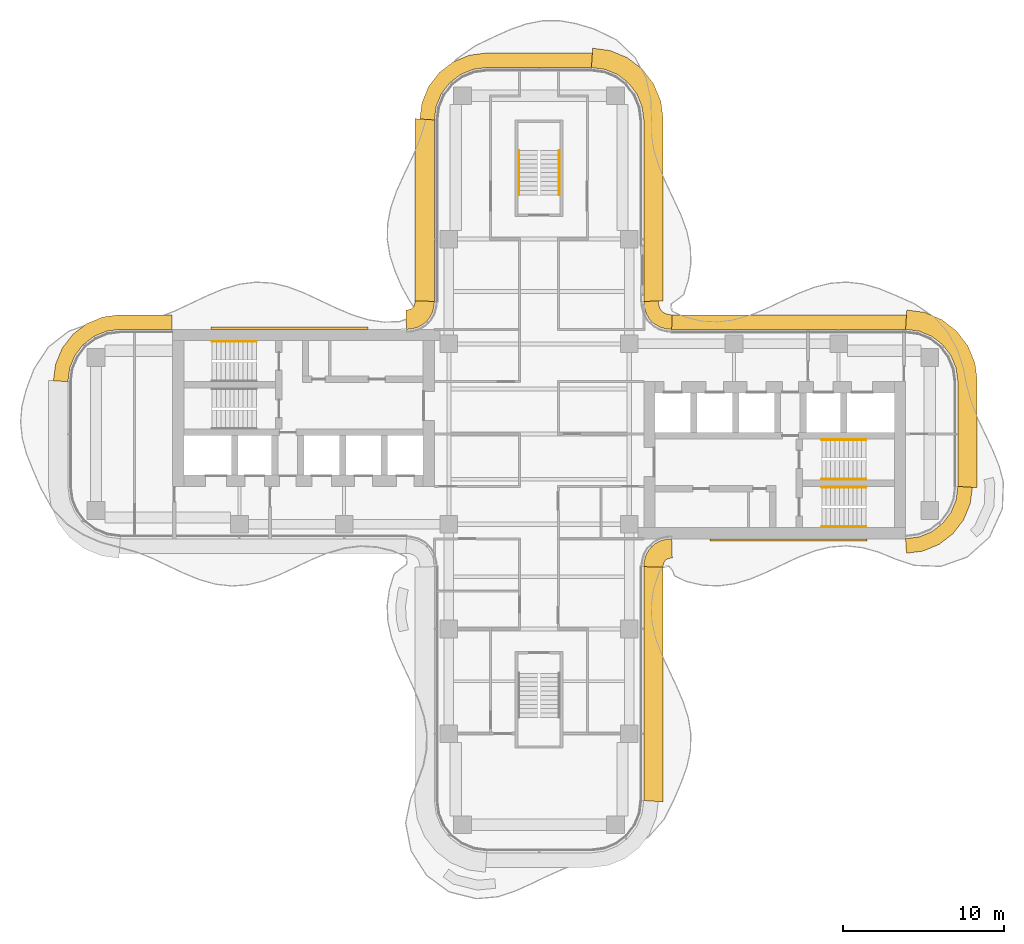
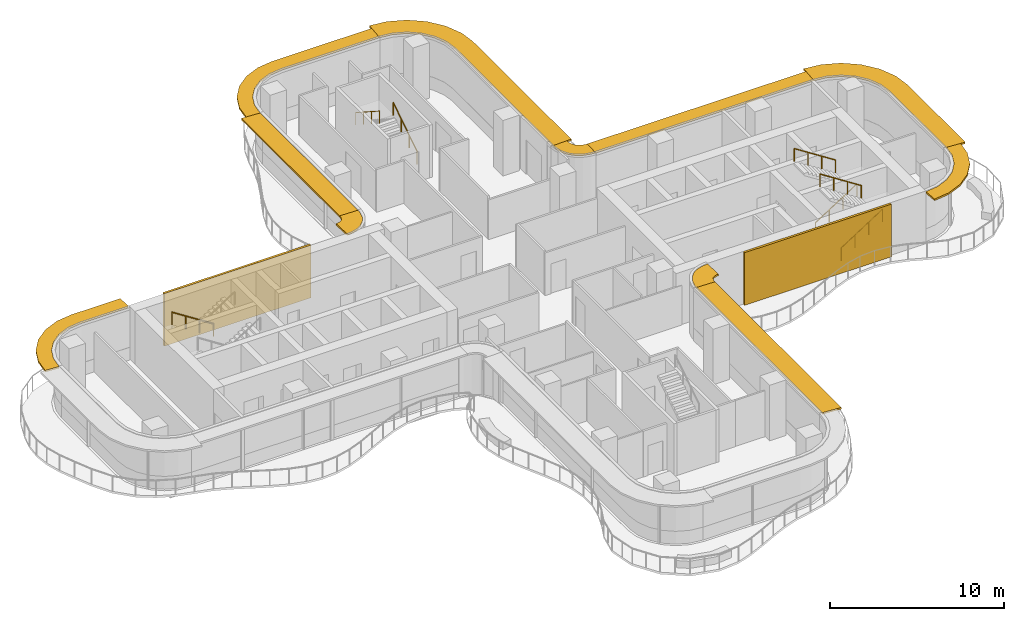
# One storey, part 19 of 19: 11 shading devices, 7 railings, 2 coverings.
"""IFC4 building model written with IfcOpenShell, lengths in metres."""

from ifc_helpers import new_model, si_unit, direction, frame, origin, origin_2d, place, context, subcontext, project, spatial, polyline, circle, outline, extrude, source, transform, mapped, material, layer, layer_set, type_object, element, save


model = new_model("IFC4")

# Units and contexts
model_context = context("Model", 3, precision=1e-05, world=origin(), true_north=direction((0.0, 1.0)))
body_context = subcontext(model_context, "Body", "Model", "MODEL_VIEW")
ifc_project = project(units=[si_unit("LENGTHUNIT", "METRE"), si_unit("AREAUNIT", "SQUARE_METRE"), si_unit("VOLUMEUNIT", "CUBIC_METRE"), si_unit("PLANEANGLEUNIT", "RADIAN"), si_unit("MASSUNIT", "GRAM", prefix="KILO")], contexts=[model_context])

# Site, building, storey
site_placement = place(None, origin())
site = spatial("IfcSite", under=ifc_project, at=site_placement, CompositionType="ELEMENT")
building_placement = place(site_placement, origin())
building = spatial("IfcBuilding", under=site, at=building_placement, Name="Trellis Farm Tower", CompositionType="ELEMENT")
storey_placement = place(building_placement, frame((0.0, 0.0, 228.5)))
storey = spatial("IfcBuildingStorey", under=building, at=storey_placement, Name="L50", CompositionType="ELEMENT", Elevation=228.5)

# Railings
ifc_material_1 = material(Name="Stainless steel", Category="steel")
railing_type = type_object("IfcRailingType", Name="STAIR HANDRAIL 900", PredefinedType="HANDRAIL", material=ifc_material_1)
shared_shape_1 = source(origin(), body_context, "Body", "SweptSolid", [
    extrude(circle(Radius=0.02392578125, at=origin_2d()), frame((0.0, 0.0, 0.8759765625), z_axis=(0.0, 0.840503830235, 0.541805602924), x_axis=(-1.0, 0.0, 0.0)), (0.0, 0.0, 1.0), 3.271728515625),
    extrude(circle(Radius=0.02099609375, at=origin_2d()), origin(), (0.0, 0.0, 1.0), 0.851806640625),
    extrude(circle(Radius=0.02099609375, at=origin_2d()), frame((0.0, 0.916748046875, 0.5908203125)), (0.0, 0.0, 1.0), 0.851806640625),
    extrude(circle(Radius=0.02099609375, at=origin_2d()), frame((0.0, 1.833251953125, 1.181884765625)), (0.0, 0.0, 1.0), 0.851806640625),
    extrude(circle(Radius=0.02099609375, at=origin_2d()), frame((0.0, 2.75, 1.772705078125)), (0.0, 0.0, 1.0), 0.851806640625),
])
railing_1_placement = place(storey_placement, frame((1.25, 14.85009765625, 0.17724609375)))
element("IfcRailing", 1, at=railing_1_placement, inside=storey, type_object=railing_type, Name="Stair handrail", PredefinedType="HANDRAIL", context=body_context, shape_type="MappedRepresentation", body=[
    mapped(shared_shape_1, transform((0.0, 0.0, 0.0))),
])
shared_shape_2 = source(origin(), body_context, "Body", "SweptSolid", [
    extrude(circle(Radius=0.02392578125, at=origin_2d()), frame((0.0, 0.0, 0.8759765625), z_axis=(0.0, -0.840503830235, 0.541805602924), x_axis=(1.0, 0.0, 0.0)), (0.0, 0.0, 1.0), 3.271728515625),
    extrude(circle(Radius=0.02099609375, at=origin_2d()), origin(), (0.0, 0.0, 1.0), 0.851806640625),
    extrude(circle(Radius=0.02099609375, at=origin_2d()), frame((0.0, -0.916748046875, 0.5908203125)), (0.0, 0.0, 1.0), 0.851806640625),
    extrude(circle(Radius=0.02099609375, at=origin_2d()), frame((0.0, -1.833251953125, 1.181884765625)), (0.0, 0.0, 1.0), 0.851806640625),
    extrude(circle(Radius=0.02099609375, at=origin_2d()), frame((0.0, -2.75, 1.772705078125)), (0.0, 0.0, 1.0), 0.851806640625),
])
railing_2_placement = place(storey_placement, frame((-1.25, 17.60009765625, 2.127197265625)))
element("IfcRailing", 2, at=railing_2_placement, inside=storey, type_object=railing_type, Name="Stair handrail", PredefinedType="HANDRAIL", context=body_context, shape_type="MappedRepresentation", body=[
    mapped(shared_shape_2, transform((0.0, 0.0, 0.0))),
])
shared_shape_3 = source(origin(), body_context, "Body", "SweptSolid", [
    extrude(circle(Radius=0.02392578125, at=origin_2d()), frame((0.0, 0.0, 0.8759765625), z_axis=(0.840503830235, 0.0, 0.541805602924), x_axis=(0.0, 1.0, 0.0)), (0.0, 0.0, 1.0), 3.271728515625),
    extrude(circle(Radius=0.02099609375, at=origin_2d()), origin(), (0.0, 0.0, 1.0), 0.851806640625),
    extrude(circle(Radius=0.02099609375, at=origin_2d()), frame((0.916748046875, 0.0, 0.5908203125)), (0.0, 0.0, 1.0), 0.851806640625),
    extrude(circle(Radius=0.02099609375, at=origin_2d()), frame((1.833251953125, 0.0, 1.181884765625)), (0.0, 0.0, 1.0), 0.851806640625),
    extrude(circle(Radius=0.02099609375, at=origin_2d()), frame((2.75, 0.0, 1.772705078125)), (0.0, 0.0, 1.0), 0.851806640625),
])
for number, where, name in (
    (3, (17.550048828125, -5.75, 0.17724609375), "Stair handrail"),
    (4, (17.550048828125, -2.800048828125, 0.17724609375), "Stair handrail"),
):
    element("IfcRailing", number, at=place(storey_placement, frame(where)), inside=storey, type_object=railing_type, Name=name, PredefinedType="HANDRAIL", context=body_context, shape_type="MappedRepresentation", body=[
        mapped(shared_shape_3, transform((0.0, 0.0, 0.0))),
    ])
shared_shape_4 = source(origin(), body_context, "Body", "SweptSolid", [
    extrude(circle(Radius=0.02392578125, at=origin_2d()), frame((0.0, 0.0, 0.8759765625), z_axis=(-0.840503830235, 0.0, 0.541805602924), x_axis=(0.0, -1.0, 0.0)), (0.0, 0.0, 1.0), 3.271728515625),
    extrude(circle(Radius=0.02099609375, at=origin_2d()), origin(), (0.0, 0.0, 1.0), 0.851806640625),
    extrude(circle(Radius=0.02099609375, at=origin_2d()), frame((-0.916748046875, 0.0, 0.5908203125)), (0.0, 0.0, 1.0), 0.851806640625),
    extrude(circle(Radius=0.02099609375, at=origin_2d()), frame((-1.833251953125, 0.0, 1.181884765625)), (0.0, 0.0, 1.0), 0.851806640625),
    extrude(circle(Radius=0.02099609375, at=origin_2d()), frame((-2.75, 0.0, 1.772705078125)), (0.0, 0.0, 1.0), 0.851806640625),
])
for number, where, name in (
    (5, (20.300048828125, -3.300048828125, 2.127197265625), "Stair handrail"),
    (6, (20.300048828125, -0.35009765625, 2.127197265625), "Stair handrail"),
    (7, (-17.550048828125, 5.75, 0.17724609375), "Stair handrail"),
):
    element("IfcRailing", number, at=place(storey_placement, frame(where)), inside=storey, type_object=railing_type, Name=name, PredefinedType="HANDRAIL", context=body_context, shape_type="MappedRepresentation", body=[
        mapped(shared_shape_4, transform((0.0, 0.0, 0.0))),
    ])

# Shading devices
ifc_material_2 = material(Name="Aluminium extrusion 6063-T6", Category="aluminium")
ifc_layer_1 = layer(ifc_material_2, 0.1201171875)
ifc_layer_set_1 = layer_set([ifc_layer_1], Name="SUNSHADE BLADE 1200")
shading_device_type_1 = type_object("IfcShadingDeviceType", Name="SUNSHADE BLADE 1200", PredefinedType="USERDEFINED", material=ifc_layer_set_1)
shared_shape_5 = source(origin(), body_context, "Body", "SweptSolid", [
    extrude(outline(polyline([(7.699951171875, -8.270751953125), (7.708740234375, -8.13720703125), (7.70703125, -8.150146484375), (7.7548828125, -7.9716796875), (7.80712890625, -7.881103515625), (7.881103515625, -7.80712890625), (7.9716796875, -7.7548828125), (8.150146484375, -7.70703125), (8.13720703125, -7.708740234375), (8.270751953125, -7.699951171875), (8.2314453125, -6.5), (8.01953125, -6.513916015625), (7.91552734375, -6.527587890625), (7.508544921875, -6.63671875), (7.144287109375, -6.846923828125), (6.846923828125, -7.144287109375), (6.63671875, -7.508544921875), (6.527587890625, -7.91552734375), (6.513916015625, -8.01953125), (6.5, -8.2314453125), (7.699951171875, -8.270751953125)])), origin(), (0.0, 0.0, 1.0), 0.119873046875),
])
placement_1 = place(storey_placement, frame((0.0, 0.0, 3.5400390625)))
element("IfcShadingDevice", 8, at=placement_1, inside=storey, type_object=shading_device_type_1, Name="SD2 006", ObjectType="SUNSHADE", PredefinedType="USERDEFINED", context=body_context, shape_type="MappedRepresentation", body=[
    mapped(shared_shape_5, transform((0.0, 0.0, 0.0))),
])
ifc_layer_2 = layer(ifc_material_2, 0.1201171875)
ifc_layer_set_2 = layer_set([ifc_layer_2], Name="SUNSHADE BLADE 900")
shading_device_type_2 = type_object("IfcShadingDeviceType", Name="SUNSHADE BLADE 900", PredefinedType="USERDEFINED", material=ifc_layer_set_2)
shared_shape_6 = source(origin(), body_context, "Body", "SweptSolid", [
    extrude(outline(polyline([(8.2607421875, 7.39990234375), (8.107666015625, 7.409912109375), (8.091552734375, 7.412109375), (7.85595703125, 7.475341796875), (7.697021484375, 7.567138671875), (7.567138671875, 7.697021484375), (7.475341796875, 7.85595703125), (7.412109375, 8.091552734375), (7.409912109375, 8.107666015625), (7.39990234375, 8.2607421875), (6.5, 8.2314453125), (6.513916015625, 8.01953125), (6.527587890625, 7.91552734375), (6.63671875, 7.508544921875), (6.846923828125, 7.144287109375), (7.144287109375, 6.846923828125), (7.508544921875, 6.63671875), (7.91552734375, 6.527587890625), (8.01953125, 6.513916015625), (8.2314453125, 6.5), (8.2607421875, 7.39990234375)])), origin(), (0.0, 0.0, 1.0), 0.119873046875),
])
element("IfcShadingDevice", 9, at=placement_1, inside=storey, type_object=shading_device_type_2, Name="SD1 010", ObjectType="SUNSHADE", PredefinedType="USERDEFINED", context=body_context, shape_type="MappedRepresentation", body=[
    mapped(shared_shape_6, transform((0.0, 0.0, 0.0))),
])
shared_shape_7 = source(origin(), body_context, "Body", "SweptSolid", [
    extrude(outline(polyline([(-7.699951171875, 8.270751953125), (-7.708740234375, 8.13720703125), (-7.70703125, 8.150146484375), (-7.7548828125, 7.9716796875), (-7.80712890625, 7.881103515625), (-7.881103515625, 7.80712890625), (-7.9716796875, 7.7548828125), (-8.150146484375, 7.70703125), (-8.13720703125, 7.708740234375), (-8.270751953125, 7.699951171875), (-8.2314453125, 6.5), (-8.01953125, 6.513916015625), (-7.91552734375, 6.527587890625), (-7.508544921875, 6.63671875), (-7.144287109375, 6.846923828125), (-6.846923828125, 7.144287109375), (-6.63671875, 7.508544921875), (-6.527587890625, 7.91552734375), (-6.513916015625, 8.01953125), (-6.5, 8.2314453125), (-7.699951171875, 8.270751953125)])), origin(), (0.0, 0.0, 1.0), 0.119873046875),
])
element("IfcShadingDevice", 10, at=placement_1, inside=storey, type_object=shading_device_type_1, Name="SD2 014", ObjectType="SUNSHADE", PredefinedType="USERDEFINED", context=body_context, shape_type="MappedRepresentation", body=[
    mapped(shared_shape_7, transform((0.0, 0.0, 0.0))),
])
shared_shape_8 = source(origin(), body_context, "Body", "SweptSolid", [
    extrude(outline(polyline([(7.699951171875, -22.82861328125), (7.699951171875, -8.270751953125), (6.5, -8.2314453125), (6.5, -22.75), (7.699951171875, -22.82861328125)])), origin(), (0.0, 0.0, 1.0), 0.119873046875),
])
element("IfcShadingDevice", 11, at=placement_1, inside=storey, type_object=shading_device_type_1, Name="SD2 005", ObjectType="SUNSHADE", PredefinedType="USERDEFINED", context=body_context, shape_type="MappedRepresentation", body=[
    mapped(shared_shape_8, transform((0.0, 0.0, 0.0))),
])
shared_shape_9 = source(origin(), body_context, "Body", "SweptSolid", [
    extrude(outline(polyline([(-22.780029296875, 7.39990234375), (-26.05908203125, 7.39990234375), (-27.076171875, 7.26611328125), (-28.078857421875, 6.850830078125), (-28.93994140625, 6.18994140625), (-29.600830078125, 5.328857421875), (-30.01611328125, 4.326171875), (-30.14990234375, 3.30908203125), (-29.25, 3.25), (-29.13916015625, 4.091064453125), (-28.814697265625, 4.875), (-28.298095703125, 5.548095703125), (-27.625, 6.064697265625), (-26.841064453125, 6.38916015625), (-26.0, 6.5), (-22.780029296875, 6.5), (-22.780029296875, 7.39990234375)])), origin(), (0.0, 0.0, 1.0), 0.119873046875),
])
element("IfcShadingDevice", 12, at=placement_1, inside=storey, type_object=shading_device_type_2, Name="SD1 015", ObjectType="SUNSHADE", PredefinedType="USERDEFINED", context=body_context, shape_type="MappedRepresentation", body=[
    mapped(shared_shape_9, transform((0.0, 0.0, 0.0))),
])

# Covering
ifc_material_3 = material(Name="Perforated precast screen (cobogo)", Category="concrete")
ifc_layer_3 = layer(ifc_material_3, 0.14990234375)
ifc_layer_set_3 = layer_set([ifc_layer_3], Name="COBOGO SCREEN PANEL")
covering_type = type_object("IfcCoveringType", Name="COBOGO SCREEN PANEL", PredefinedType="USERDEFINED", material=ifc_layer_set_3)
shared_shape_10 = source(origin(), body_context, "Body", "SweptSolid", [
    extrude(outline(polyline([(-10.630615234375, 6.64990234375), (-20.380615234375, 6.64990234375), (-20.380615234375, 6.5), (-10.630615234375, 6.5), (-10.630615234375, 6.64990234375)])), origin(), (0.0, 0.0, 1.0), 3.699951171875),
])
placement_2 = place(storey_placement, origin())
element("IfcCovering", 13, at=placement_2, inside=storey, type_object=covering_type, Name="SC1 02", ObjectType="SCREEN", PredefinedType="USERDEFINED", context=body_context, shape_type="MappedRepresentation", body=[
    mapped(shared_shape_10, transform((0.0, 0.0, 0.0))),
])

# Shading devices
shared_shape_11 = source(origin(), body_context, "Body", "SweptSolid", [
    extrude(outline(polyline([(7.699951171875, 8.270751953125), (7.699951171875, 19.57861328125), (7.558349609375, 20.654541015625), (7.11279296875, 21.730224609375), (6.404052734375, 22.654052734375), (5.480224609375, 23.36279296875), (4.404541015625, 23.808349609375), (3.32861328125, 23.949951171875), (3.25, 22.75), (4.091064453125, 22.63916015625), (4.875, 22.314697265625), (5.548095703125, 21.798095703125), (6.064697265625, 21.125), (6.38916015625, 20.341064453125), (6.5, 19.5), (6.5, 8.2314453125), (7.699951171875, 8.270751953125)])), origin(), (0.0, 0.0, 1.0), 0.119873046875),
])
element("IfcShadingDevice", 14, at=placement_1, inside=storey, type_object=shading_device_type_1, Name="SD2 011", ObjectType="SUNSHADE", PredefinedType="USERDEFINED", context=body_context, shape_type="MappedRepresentation", body=[
    mapped(shared_shape_11, transform((0.0, 0.0, 0.0))),
])
shared_shape_12 = source(origin(), body_context, "Body", "SweptSolid", [
    extrude(outline(polyline([(3.30908203125, 23.64990234375), (-3.30908203125, 23.64990234375), (-4.326171875, 23.51611328125), (-5.328857421875, 23.100830078125), (-6.18994140625, 22.43994140625), (-6.850830078125, 21.578857421875), (-7.26611328125, 20.576171875), (-7.39990234375, 19.55908203125), (-6.5, 19.5), (-6.38916015625, 20.341064453125), (-6.064697265625, 21.125), (-5.548095703125, 21.798095703125), (-4.875, 22.314697265625), (-4.091064453125, 22.63916015625), (-3.25, 22.75), (3.25, 22.75), (3.30908203125, 23.64990234375)])), origin(), (0.0, 0.0, 1.0), 0.119873046875),
])
element("IfcShadingDevice", 15, at=placement_1, inside=storey, type_object=shading_device_type_2, Name="SD1 012", ObjectType="SUNSHADE", PredefinedType="USERDEFINED", context=body_context, shape_type="MappedRepresentation", body=[
    mapped(shared_shape_12, transform((0.0, 0.0, 0.0))),
])
shared_shape_13 = source(origin(), body_context, "Body", "SweptSolid", [
    extrude(outline(polyline([(-7.699951171875, 19.57861328125), (-7.699951171875, 8.270751953125), (-6.5, 8.2314453125), (-6.5, 19.5), (-7.699951171875, 19.57861328125)])), origin(), (0.0, 0.0, 1.0), 0.119873046875),
])
element("IfcShadingDevice", 16, at=placement_1, inside=storey, type_object=shading_device_type_1, Name="SD2 013", ObjectType="SUNSHADE", PredefinedType="USERDEFINED", context=body_context, shape_type="MappedRepresentation", body=[
    mapped(shared_shape_13, transform((0.0, 0.0, 0.0))),
])

# Covering
shared_shape_14 = source(origin(), body_context, "Body", "SweptSolid", [
    extrude(outline(polyline([(10.61572265625, -6.64990234375), (20.36572265625, -6.64990234375), (20.36572265625, -6.5), (10.61572265625, -6.5), (10.61572265625, -6.64990234375)])), origin(), (0.0, 0.0, 1.0), 3.699951171875),
])
element("IfcCovering", 17, at=placement_2, inside=storey, type_object=covering_type, Name="SC1 01", ObjectType="SCREEN", PredefinedType="USERDEFINED", context=body_context, shape_type="MappedRepresentation", body=[
    mapped(shared_shape_14, transform((0.0, 0.0, 0.0))),
])

# Shading devices
shared_shape_15 = source(origin(), body_context, "Body", "SweptSolid", [
    extrude(outline(polyline([(22.80908203125, -7.39990234375), (23.826171875, -7.26611328125), (24.828857421875, -6.850830078125), (25.68994140625, -6.18994140625), (26.350830078125, -5.328857421875), (26.76611328125, -4.326171875), (26.89990234375, -3.30908203125), (26.0, -3.25), (25.88916015625, -4.091064453125), (25.564697265625, -4.875), (25.048095703125, -5.548095703125), (24.375, -6.064697265625), (23.591064453125, -6.38916015625), (22.75, -6.5), (22.80908203125, -7.39990234375)])), origin(), (0.0, 0.0, 1.0), 0.119873046875),
])
element("IfcShadingDevice", 18, at=placement_1, inside=storey, type_object=shading_device_type_2, Name="SD1 007", ObjectType="SUNSHADE", PredefinedType="USERDEFINED", context=body_context, shape_type="MappedRepresentation", body=[
    mapped(shared_shape_15, transform((0.0, 0.0, 0.0))),
])
shared_shape_16 = source(origin(), body_context, "Body", "SweptSolid", [
    extrude(outline(polyline([(27.199951171875, -3.32861328125), (27.199951171875, 3.32861328125), (27.058349609375, 4.404541015625), (26.61279296875, 5.480224609375), (25.904052734375, 6.404052734375), (24.980224609375, 7.11279296875), (23.904541015625, 7.558349609375), (22.82861328125, 7.699951171875), (22.75, 6.5), (23.591064453125, 6.38916015625), (24.375, 6.064697265625), (25.048095703125, 5.548095703125), (25.564697265625, 4.875), (25.88916015625, 4.091064453125), (26.0, 3.25), (26.0, -3.25), (27.199951171875, -3.32861328125)])), origin(), (0.0, 0.0, 1.0), 0.119873046875),
])
element("IfcShadingDevice", 19, at=placement_1, inside=storey, type_object=shading_device_type_1, Name="SD2 008", ObjectType="SUNSHADE", PredefinedType="USERDEFINED", context=body_context, shape_type="MappedRepresentation", body=[
    mapped(shared_shape_16, transform((0.0, 0.0, 0.0))),
])
shared_shape_17 = source(origin(), body_context, "Body", "SweptSolid", [
    extrude(outline(polyline([(22.80908203125, 7.39990234375), (8.2607421875, 7.39990234375), (8.2314453125, 6.5), (22.75, 6.5), (22.80908203125, 7.39990234375)])), origin(), (0.0, 0.0, 1.0), 0.119873046875),
])
element("IfcShadingDevice", 20, at=placement_1, inside=storey, type_object=shading_device_type_2, Name="SD1 009", ObjectType="SUNSHADE", PredefinedType="USERDEFINED", context=body_context, shape_type="MappedRepresentation", body=[
    mapped(shared_shape_17, transform((0.0, 0.0, 0.0))),
])

save(model, "model.ifc")
